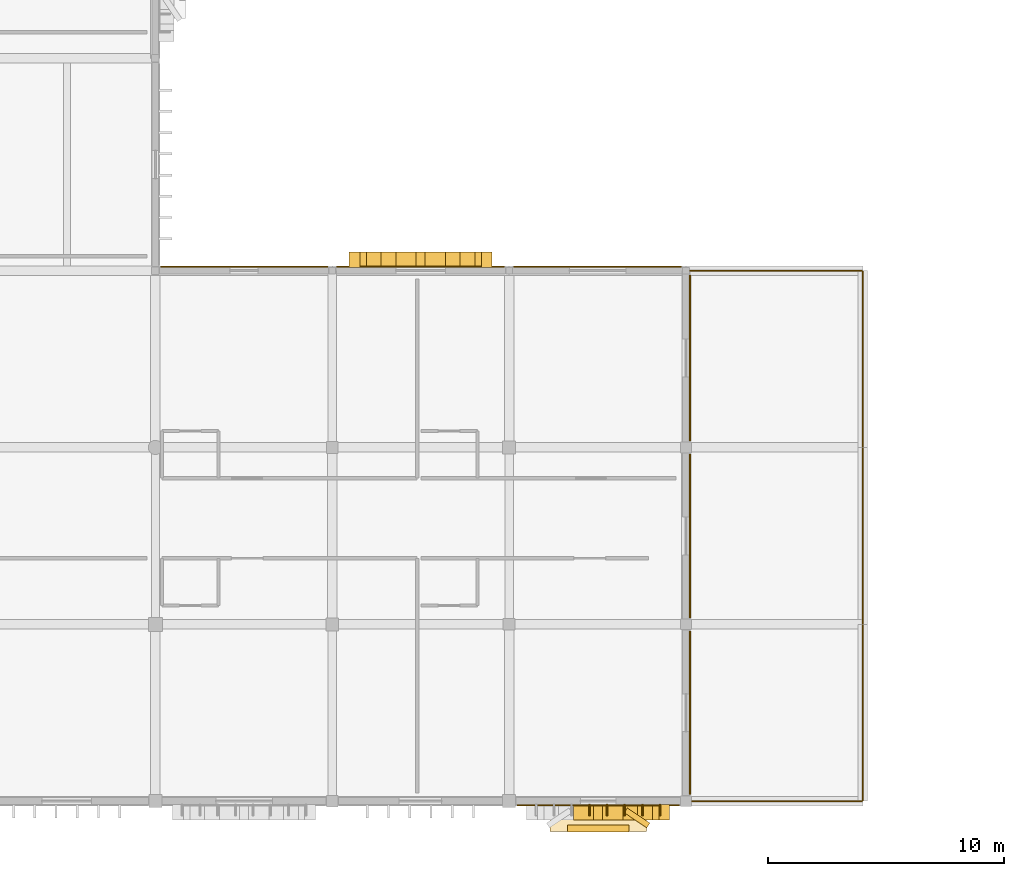
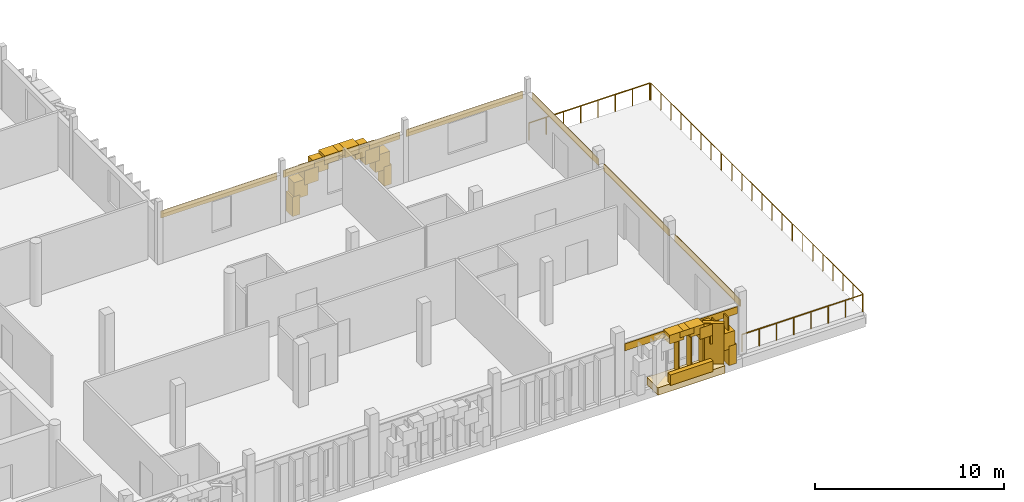
# One storey, part 24 of 33: 28 coverings, 5 railings, 5 shading devices.
"""IFC4 building model written with IfcOpenShell, lengths in metres."""

from ifc_helpers import new_model, si_unit, direction, frame, origin, origin_2d, place, context, subcontext, project, spatial, rectangle, circle, extrude, material, layer, layer_set, type_object, element, save


model = new_model("IFC4")

# Units and contexts
model_context = context("Model", 3, precision=1e-05, world=origin(), true_north=direction((0.0, 1.0)))
body_context = subcontext(model_context, "Body", "Model", "MODEL_VIEW")
ifc_project = project(units=[si_unit("LENGTHUNIT", "METRE"), si_unit("AREAUNIT", "SQUARE_METRE"), si_unit("VOLUMEUNIT", "CUBIC_METRE"), si_unit("PLANEANGLEUNIT", "RADIAN"), si_unit("MASSUNIT", "GRAM", prefix="KILO")], contexts=[model_context])

# Site, building, storey
site_placement = place(None, origin())
site = spatial("IfcSite", under=ifc_project, at=site_placement, CompositionType="ELEMENT")
building_placement = place(site_placement, origin())
building = spatial("IfcBuilding", under=site, at=building_placement, Name="Dalvernix Boulevard General Hospital", CompositionType="ELEMENT")
storey_placement = place(building_placement, frame((0.0, 0.0, 21.89990234375)))
storey = spatial("IfcBuildingStorey", under=building, at=storey_placement, Name="L05", CompositionType="ELEMENT", Elevation=21.89990234375)

# Coverings
ifc_material_1 = material(Name="Pressed Catalan clay brick and dressed limestone parabolic archivolt", Category="masonry")
ifc_layer_1 = layer(ifc_material_1, 0.419921875)
ifc_layer_set_1 = layer_set([ifc_layer_1], Name="Pressed Catalan clay brick and dressed limestone parabolic archivolt (COV-ARC-01)")
covering_type_1 = type_object("IfcCoveringType", Name="COV-ARC-01", PredefinedType="CLADDING", material=ifc_layer_set_1)
for number, where, z_axis, x_axis, name in (
    (1, (38.449951171875, 22.9599609375, 0.0), (0.0, 0.0, 1.0), (1.0, 0.0, 0.0), "L05 Catalan parabolic arch impost pier N 5-3-L"),
    (2, (44.050048828125, 22.9599609375, 0.0), (0.0, 0.0, 1.0), (1.0, 0.0, 0.0), "L05 Catalan parabolic arch impost pier N 5-3-R"),
):
    element("IfcCovering", number, at=place(storey_placement, frame(where, z_axis=z_axis, x_axis=x_axis)), inside=storey, type_object=covering_type_1, Name=name, PredefinedType="CLADDING", context=body_context, shape_type="SweptSolid", body=[
        extrude(rectangle(XDim=0.4599609375, YDim=0.659912109375, at=origin_2d()), origin(), (0.0, 0.0, 1.0), 1.25),
    ])
covering_1_placement = place(storey_placement, frame((38.760986328125, 22.9599609375, 1.06005859375), z_axis=(0.0, 0.0, 1.0), x_axis=(1.0, 0.0, 0.0)))
element("IfcCovering", 3, at=covering_1_placement, inside=storey, type_object=covering_type_1, Name="L05 Catalan parabolic archivolt voussoir N 5-3-1", PredefinedType="CLADDING", context=body_context, shape_type="SweptSolid", body=[
    extrude(rectangle(XDim=0.8623046875, YDim=0.659912109375, at=origin_2d()), origin(), (0.0, 0.0, 1.0), 1.091064453125),
])
covering_2_placement = place(storey_placement, frame((39.38330078125, 22.9599609375, 1.77099609375), z_axis=(0.0, 0.0, 1.0), x_axis=(1.0, 0.0, 0.0)))
element("IfcCovering", 4, at=covering_2_placement, inside=storey, type_object=covering_type_1, Name="L05 Catalan parabolic archivolt voussoir N 5-3-2", PredefinedType="CLADDING", context=body_context, shape_type="SweptSolid", body=[
    extrude(rectangle(XDim=0.8623046875, YDim=0.659912109375, at=origin_2d()), origin(), (0.0, 0.0, 1.0), 0.913330078125),
])
covering_3_placement = place(storey_placement, frame((40.005615234375, 22.9599609375, 2.3046875), z_axis=(0.0, 0.0, 1.0), x_axis=(1.0, 0.0, 0.0)))
element("IfcCovering", 5, at=covering_3_placement, inside=storey, type_object=covering_type_1, Name="L05 Catalan parabolic archivolt voussoir N 5-3-3", PredefinedType="CLADDING", context=body_context, shape_type="SweptSolid", body=[
    extrude(rectangle(XDim=0.8623046875, YDim=0.659912109375, at=origin_2d()), origin(), (0.0, 0.0, 1.0), 0.735595703125),
])
covering_4_placement = place(storey_placement, frame((40.627685546875, 22.9599609375, 2.66015625), z_axis=(0.0, 0.0, 1.0), x_axis=(1.0, 0.0, 0.0)))
element("IfcCovering", 6, at=covering_4_placement, inside=storey, type_object=covering_type_1, Name="L05 Catalan parabolic archivolt voussoir N 5-3-4", PredefinedType="CLADDING", context=body_context, shape_type="SweptSolid", body=[
    extrude(rectangle(XDim=0.8623046875, YDim=0.659912109375, at=origin_2d()), origin(), (0.0, 0.0, 1.0), 0.557861328125),
])
covering_5_placement = place(storey_placement, frame((41.25, 22.9599609375, 2.837890625), z_axis=(0.0, 0.0, 1.0), x_axis=(1.0, 0.0, 0.0)))
element("IfcCovering", 7, at=covering_5_placement, inside=storey, type_object=covering_type_1, Name="L05 Catalan parabolic archivolt voussoir N 5-3-5", PredefinedType="CLADDING", context=body_context, shape_type="SweptSolid", body=[
    extrude(rectangle(XDim=0.8623046875, YDim=0.659912109375, at=origin_2d()), origin(), (0.0, 0.0, 1.0), 0.3798828125),
])
covering_6_placement = place(storey_placement, frame((41.872314453125, 22.9599609375, 2.66015625), z_axis=(0.0, 0.0, 1.0), x_axis=(1.0, 0.0, 0.0)))
element("IfcCovering", 8, at=covering_6_placement, inside=storey, type_object=covering_type_1, Name="L05 Catalan parabolic archivolt voussoir N 5-3-6", PredefinedType="CLADDING", context=body_context, shape_type="SweptSolid", body=[
    extrude(rectangle(XDim=0.8623046875, YDim=0.659912109375, at=origin_2d()), origin(), (0.0, 0.0, 1.0), 0.557861328125),
])
covering_7_placement = place(storey_placement, frame((42.494384765625, 22.9599609375, 2.3046875), z_axis=(0.0, 0.0, 1.0), x_axis=(1.0, 0.0, 0.0)))
element("IfcCovering", 9, at=covering_7_placement, inside=storey, type_object=covering_type_1, Name="L05 Catalan parabolic archivolt voussoir N 5-3-7", PredefinedType="CLADDING", context=body_context, shape_type="SweptSolid", body=[
    extrude(rectangle(XDim=0.8623046875, YDim=0.659912109375, at=origin_2d()), origin(), (0.0, 0.0, 1.0), 0.735595703125),
])
covering_8_placement = place(storey_placement, frame((43.11669921875, 22.9599609375, 1.77099609375), z_axis=(0.0, 0.0, 1.0), x_axis=(1.0, 0.0, 0.0)))
element("IfcCovering", 10, at=covering_8_placement, inside=storey, type_object=covering_type_1, Name="L05 Catalan parabolic archivolt voussoir N 5-3-8", PredefinedType="CLADDING", context=body_context, shape_type="SweptSolid", body=[
    extrude(rectangle(XDim=0.8623046875, YDim=0.659912109375, at=origin_2d()), origin(), (0.0, 0.0, 1.0), 0.913330078125),
])
covering_9_placement = place(storey_placement, frame((43.739013671875, 22.9599609375, 1.06005859375), z_axis=(0.0, 0.0, 1.0), x_axis=(1.0, 0.0, 0.0)))
element("IfcCovering", 11, at=covering_9_placement, inside=storey, type_object=covering_type_1, Name="L05 Catalan parabolic archivolt voussoir N 5-3-9", PredefinedType="CLADDING", context=body_context, shape_type="SweptSolid", body=[
    extrude(rectangle(XDim=0.8623046875, YDim=0.659912109375, at=origin_2d()), origin(), (0.0, 0.0, 1.0), 1.091064453125),
])
covering_10_placement = place(storey_placement, frame((51.574951171875, -0.4599609375, 0.0), z_axis=(0.0, 0.0, 1.0), x_axis=(-1.0, 0.0, 0.0)))
element("IfcCovering", 12, at=covering_10_placement, inside=storey, type_object=covering_type_1, Name="L05 Catalan parabolic arch impost pier S 6-0-L", PredefinedType="CLADDING", context=body_context, shape_type="SweptSolid", body=[
    extrude(rectangle(XDim=0.4599609375, YDim=0.659912109375, at=origin_2d()), origin(), (0.0, 0.0, 1.0), 1.25),
])
covering_11_placement = place(storey_placement, frame((51.263916015625, -0.4599609375, 1.06005859375), z_axis=(0.0, 0.0, 1.0), x_axis=(-1.0, 0.0, 0.0)))
element("IfcCovering", 13, at=covering_11_placement, inside=storey, type_object=covering_type_1, Name="L05 Catalan parabolic archivolt voussoir S 6-0-1", PredefinedType="CLADDING", context=body_context, shape_type="SweptSolid", body=[
    extrude(rectangle(XDim=0.8623046875, YDim=0.659912109375, at=origin_2d()), origin(), (0.0, 0.0, 1.0), 1.091064453125),
])
covering_12_placement = place(storey_placement, frame((50.6416015625, -0.4599609375, 1.77099609375), z_axis=(0.0, 0.0, 1.0), x_axis=(-1.0, 0.0, 0.0)))
element("IfcCovering", 14, at=covering_12_placement, inside=storey, type_object=covering_type_1, Name="L05 Catalan parabolic archivolt voussoir S 6-0-2", PredefinedType="CLADDING", context=body_context, shape_type="SweptSolid", body=[
    extrude(rectangle(XDim=0.8623046875, YDim=0.659912109375, at=origin_2d()), origin(), (0.0, 0.0, 1.0), 0.913330078125),
])
covering_13_placement = place(storey_placement, frame((50.019287109375, -0.4599609375, 2.3046875), z_axis=(0.0, 0.0, 1.0), x_axis=(-1.0, 0.0, 0.0)))
element("IfcCovering", 15, at=covering_13_placement, inside=storey, type_object=covering_type_1, Name="L05 Catalan parabolic archivolt voussoir S 6-0-3", PredefinedType="CLADDING", context=body_context, shape_type="SweptSolid", body=[
    extrude(rectangle(XDim=0.8623046875, YDim=0.659912109375, at=origin_2d()), origin(), (0.0, 0.0, 1.0), 0.735595703125),
])
covering_14_placement = place(storey_placement, frame((49.397216796875, -0.4599609375, 2.66015625), z_axis=(0.0, 0.0, 1.0), x_axis=(-1.0, 0.0, 0.0)))
element("IfcCovering", 16, at=covering_14_placement, inside=storey, type_object=covering_type_1, Name="L05 Catalan parabolic archivolt voussoir S 6-0-4", PredefinedType="CLADDING", context=body_context, shape_type="SweptSolid", body=[
    extrude(rectangle(XDim=0.8623046875, YDim=0.659912109375, at=origin_2d()), origin(), (0.0, 0.0, 1.0), 0.557861328125),
])
covering_15_placement = place(storey_placement, frame((48.77490234375, -0.4599609375, 2.837890625), z_axis=(0.0, 0.0, 1.0), x_axis=(-1.0, 0.0, 0.0)))
element("IfcCovering", 17, at=covering_15_placement, inside=storey, type_object=covering_type_1, Name="L05 Catalan parabolic archivolt voussoir S 6-0-5", PredefinedType="CLADDING", context=body_context, shape_type="SweptSolid", body=[
    extrude(rectangle(XDim=0.8623046875, YDim=0.659912109375, at=origin_2d()), origin(), (0.0, 0.0, 1.0), 0.3798828125),
])
covering_16_placement = place(storey_placement, frame((48.15283203125, -0.4599609375, 2.66015625), z_axis=(0.0, 0.0, 1.0), x_axis=(-1.0, 0.0, 0.0)))
element("IfcCovering", 18, at=covering_16_placement, inside=storey, type_object=covering_type_1, Name="L05 Catalan parabolic archivolt voussoir S 6-0-6", PredefinedType="CLADDING", context=body_context, shape_type="SweptSolid", body=[
    extrude(rectangle(XDim=0.8623046875, YDim=0.659912109375, at=origin_2d()), origin(), (0.0, 0.0, 1.0), 0.557861328125),
])
ifc_material_2 = material(Name="Polychrome glazed Catalan trencadis ceramic faceted bay spandrel")
ifc_layer_2 = layer(ifc_material_2, 0.280029296875)
ifc_layer_set_2 = layer_set([ifc_layer_2], Name="Polychrome glazed Catalan trencadis ceramic faceted bay spandrel (COV-BAY-01)")
covering_type_2 = type_object("IfcCoveringType", Name="COV-BAY-01", PredefinedType="CLADDING", material=ifc_layer_set_2)
covering_17_placement = place(storey_placement, frame((48.77490234375, -1.159912109375, 0.38037109375), z_axis=(0.0, 0.0, 1.0), x_axis=(-1.0, 0.0, 0.0)))
element("IfcCovering", 19, at=covering_17_placement, inside=storey, type_object=covering_type_2, Name="L05 projecting faceted trencadis bay spandrel S 6-0", PredefinedType="CLADDING", context=body_context, shape_type="SweptSolid", body=[
    extrude(rectangle(XDim=2.60009765625, YDim=0.280029296875, at=origin_2d()), origin(), (0.0, 0.0, 1.0), 0.679931640625),
])
covering_18_placement = place(storey_placement, frame((50.425048828125, -0.7099609375, 0.080078125), z_axis=(0.0, 0.0, 1.0), x_axis=(-0.829037572555, 0.559192903471, 0.0)))
element("IfcCovering", 20, at=covering_18_placement, inside=storey, type_object=covering_type_2, Name="L05 projecting faceted Catalan bay cheek S 6-0-L", PredefinedType="CLADDING", context=body_context, shape_type="SweptSolid", body=[
    extrude(rectangle(XDim=1.14990234375, YDim=0.239990234375, at=origin_2d()), origin(), (0.0, 0.0, 1.0), 3.010009765625),
])
ifc_material_3 = material(Name="Polychrome Catalan glazed ceramic spandrel tile panel")
ifc_layer_3 = layer(ifc_material_3, 0.044921875)
ifc_layer_set_3 = layer_set([ifc_layer_3], Name="Polychrome Catalan glazed ceramic spandrel tile panel (COV-CLD-01)")
covering_type_3 = type_object("IfcCoveringType", Name="COV-CLD-01", PredefinedType="CLADDING", material=ifc_layer_set_3)
covering_19_placement = place(storey_placement, frame((33.760009765625, 22.669921875, 2.6953125), z_axis=(0.0, 0.0, 1.0), x_axis=(1.0, 0.0, 0.0)))
element("IfcCovering", 21, at=covering_19_placement, inside=storey, type_object=covering_type_3, Name="L05 polychrome ceramic spandrel N 4-3", PredefinedType="CLADDING", context=body_context, shape_type="SweptSolid", body=[
    extrude(rectangle(XDim=7.080078125, YDim=0.044921875, at=origin_2d()), origin(), (0.0, 0.0, 1.0), 0.449951171875),
])
covering_20_placement = place(storey_placement, frame((41.25, 22.669921875, 2.6953125), z_axis=(0.0, 0.0, 1.0), x_axis=(1.0, 0.0, 0.0)))
element("IfcCovering", 22, at=covering_20_placement, inside=storey, type_object=covering_type_3, Name="L05 polychrome ceramic spandrel N 5-3", PredefinedType="CLADDING", context=body_context, shape_type="SweptSolid", body=[
    extrude(rectangle(XDim=7.10009765625, YDim=0.044921875, at=origin_2d()), origin(), (0.0, 0.0, 1.0), 0.449951171875),
])
covering_21_placement = place(storey_placement, frame((48.77490234375, -0.169921875, 2.6953125), z_axis=(0.0, 0.0, 1.0), x_axis=(-1.0, 0.0, 0.0)))
element("IfcCovering", 23, at=covering_21_placement, inside=storey, type_object=covering_type_3, Name="L05 polychrome ceramic spandrel S 6-0", PredefinedType="CLADDING", context=body_context, shape_type="SweptSolid", body=[
    extrude(rectangle(XDim=6.8798828125, YDim=0.044921875, at=origin_2d()), origin(), (0.0, 0.0, 1.0), 0.449951171875),
])
for number, where, z_axis, x_axis, name in (
    (24, (52.669921875, 3.75, 2.6953125), (0.0, 0.0, 1.0), (0.0, -1.0, 0.0), "L05 polychrome ceramic spandrel E 7-0"),
    (25, (52.669921875, 11.25, 2.6953125), (0.0, 0.0, 1.0), (0.0, -1.0, 0.0), "L05 polychrome ceramic spandrel E 7-1"),
):
    element("IfcCovering", number, at=place(storey_placement, frame(where, z_axis=z_axis, x_axis=x_axis)), inside=storey, type_object=covering_type_3, Name=name, PredefinedType="CLADDING", context=body_context, shape_type="SweptSolid", body=[
        extrude(rectangle(XDim=6.929931640625, YDim=0.044921875, at=origin_2d()), origin(), (0.0, 0.0, 1.0), 0.449951171875),
    ])
covering_22_placement = place(storey_placement, frame((48.75, 22.669921875, 2.6953125), z_axis=(0.0, 0.0, 1.0), x_axis=(1.0, 0.0, 0.0)))
element("IfcCovering", 26, at=covering_22_placement, inside=storey, type_object=covering_type_3, Name="L05 polychrome ceramic spandrel N 6-3", PredefinedType="CLADDING", context=body_context, shape_type="SweptSolid", body=[
    extrude(rectangle(XDim=7.10009765625, YDim=0.044921875, at=origin_2d()), origin(), (0.0, 0.0, 1.0), 0.449951171875),
])
covering_23_placement = place(storey_placement, frame((52.669921875, 18.79248046875, 2.6953125), z_axis=(0.0, 0.0, 1.0), x_axis=(0.0, -1.0, 0.0)))
element("IfcCovering", 27, at=covering_23_placement, inside=storey, type_object=covering_type_3, Name="L05 polychrome ceramic spandrel E 7-2", PredefinedType="CLADDING", context=body_context, shape_type="SweptSolid", body=[
    extrude(rectangle(XDim=7.014892578125, YDim=0.044921875, at=origin_2d()), origin(), (0.0, 0.0, 1.0), 0.449951171875),
])
ifc_material_4 = material(Name="Dressed ochre limestone classical plinth, stringcourse and corbelled cornice", Category="masonry")
ifc_layer_4 = layer(ifc_material_4, 0.449951171875)
ifc_layer_set_4 = layer_set([ifc_layer_4], Name="Dressed ochre limestone classical plinth, stringcourse and corbelled cornice (COV-CRN-01)")
covering_type_4 = type_object("IfcCoveringType", Name="COV-CRN-01", PredefinedType="CLADDING", material=ifc_layer_set_4)
covering_24_placement = place(storey_placement, frame((48.77490234375, -0.705078125, 0.0), z_axis=(0.0, 0.0, 1.0), x_axis=(-1.0, 0.0, 0.0)))
element("IfcCovering", 28, at=covering_24_placement, inside=storey, type_object=covering_type_4, Name="L05 projecting Catalan bay corbel base S 6-0", PredefinedType="CLADDING", context=body_context, shape_type="SweptSolid", body=[
    extrude(rectangle(XDim=4.10009765625, YDim=1.14990234375, at=origin_2d()), origin(), (0.0, 0.0, 1.0), 0.47998046875),
])

# Railings
ifc_material_5 = material(Name="Powder-coated galvanized steel balustrade", Category="steel")
railing_type = type_object("IfcRailingType", Name="RL-GR-EXT1", PredefinedType="BALUSTRADE", material=ifc_material_5)
railing_1_placement = place(storey_placement, frame((52.590087890625, 22.5, 0.0)))
element("IfcRailing", 29, at=railing_1_placement, inside=storey, type_object=railing_type, Name="L05 terrace safety balustrade 1", PredefinedType="BALUSTRADE", context=body_context, shape_type="SweptSolid", body=[
    extrude(circle(Radius=0.02392578125, at=origin_2d()), frame((0.0, 0.0, 1.09619140625), z_axis=(1.0, 0.0, 0.0), x_axis=(0.0, 1.0, 0.0)), (0.0, 0.0, 1.0), 7.369873046875),
    extrude(circle(Radius=0.02099609375, at=origin_2d()), origin(), (0.0, 0.0, 1.0), 1.072021484375),
    extrude(circle(Radius=0.02099609375, at=origin_2d()), frame((1.052734375, 0.0, 0.0)), (0.0, 0.0, 1.0), 1.072021484375),
    extrude(circle(Radius=0.02099609375, at=origin_2d()), frame((2.105712890625, 0.0, 0.0)), (0.0, 0.0, 1.0), 1.072021484375),
    extrude(circle(Radius=0.02099609375, at=origin_2d()), frame((3.158447265625, 0.0, 0.0)), (0.0, 0.0, 1.0), 1.072021484375),
    extrude(circle(Radius=0.02099609375, at=origin_2d()), frame((4.21142578125, 0.0, 0.0)), (0.0, 0.0, 1.0), 1.072021484375),
    extrude(circle(Radius=0.02099609375, at=origin_2d()), frame((5.26416015625, 0.0, 0.0)), (0.0, 0.0, 1.0), 1.072021484375),
    extrude(circle(Radius=0.02099609375, at=origin_2d()), frame((6.317138671875, 0.0, 0.0)), (0.0, 0.0, 1.0), 1.072021484375),
    extrude(circle(Radius=0.02099609375, at=origin_2d()), frame((7.369873046875, 0.0, 0.0)), (0.0, 0.0, 1.0), 1.072021484375),
])
for number, where, name in (
    (30, (60.0, 22.4599609375, 0.0), "L05 terrace safety balustrade 2"),
    (31, (60.0, 14.9599609375, 0.0), "L05 terrace safety balustrade 3"),
    (32, (60.0, 7.4599609375, 0.0), "L05 terrace safety balustrade 4"),
):
    element("IfcRailing", number, at=place(storey_placement, frame(where)), inside=storey, type_object=railing_type, Name=name, PredefinedType="BALUSTRADE", context=body_context, shape_type="SweptSolid", body=[
        extrude(circle(Radius=0.02392578125, at=origin_2d()), frame((0.0, 0.0, 1.09619140625), z_axis=(0.0, -1.0, 0.0), x_axis=(1.0, 0.0, 0.0)), (0.0, 0.0, 1.0), 7.419921875),
        extrude(circle(Radius=0.02099609375, at=origin_2d()), origin(), (0.0, 0.0, 1.0), 1.072021484375),
        extrude(circle(Radius=0.02099609375, at=origin_2d()), frame((0.0, -1.06005859375, 0.0)), (0.0, 0.0, 1.0), 1.072021484375),
        extrude(circle(Radius=0.02099609375, at=origin_2d()), frame((0.0, -2.119873046875, 0.0)), (0.0, 0.0, 1.0), 1.072021484375),
        extrude(circle(Radius=0.02099609375, at=origin_2d()), frame((0.0, -3.179931640625, 0.0)), (0.0, 0.0, 1.0), 1.072021484375),
        extrude(circle(Radius=0.02099609375, at=origin_2d()), frame((0.0, -4.239990234375, 0.0)), (0.0, 0.0, 1.0), 1.072021484375),
        extrude(circle(Radius=0.02099609375, at=origin_2d()), frame((0.0, -5.300048828125, 0.0)), (0.0, 0.0, 1.0), 1.072021484375),
        extrude(circle(Radius=0.02099609375, at=origin_2d()), frame((0.0, -6.35986328125, 0.0)), (0.0, 0.0, 1.0), 1.072021484375),
        extrude(circle(Radius=0.02099609375, at=origin_2d()), frame((0.0, -7.419921875, 0.0)), (0.0, 0.0, 1.0), 1.072021484375),
    ])
railing_2_placement = place(storey_placement, frame((59.9599609375, 0.0, 0.0)))
element("IfcRailing", 33, at=railing_2_placement, inside=storey, type_object=railing_type, Name="L05 terrace safety balustrade 5", PredefinedType="BALUSTRADE", context=body_context, shape_type="SweptSolid", body=[
    extrude(circle(Radius=0.02392578125, at=origin_2d()), frame((0.0, 0.0, 1.09619140625), z_axis=(-1.0, 0.0, 0.0), x_axis=(0.0, -1.0, 0.0)), (0.0, 0.0, 1.0), 7.369873046875),
    extrude(circle(Radius=0.02099609375, at=origin_2d()), origin(), (0.0, 0.0, 1.0), 1.072021484375),
    extrude(circle(Radius=0.02099609375, at=origin_2d()), frame((-1.052734375, 0.0, 0.0)), (0.0, 0.0, 1.0), 1.072021484375),
    extrude(circle(Radius=0.02099609375, at=origin_2d()), frame((-2.105712890625, 0.0, 0.0)), (0.0, 0.0, 1.0), 1.072021484375),
    extrude(circle(Radius=0.02099609375, at=origin_2d()), frame((-3.158447265625, 0.0, 0.0)), (0.0, 0.0, 1.0), 1.072021484375),
    extrude(circle(Radius=0.02099609375, at=origin_2d()), frame((-4.21142578125, 0.0, 0.0)), (0.0, 0.0, 1.0), 1.072021484375),
    extrude(circle(Radius=0.02099609375, at=origin_2d()), frame((-5.26416015625, 0.0, 0.0)), (0.0, 0.0, 1.0), 1.072021484375),
    extrude(circle(Radius=0.02099609375, at=origin_2d()), frame((-6.317138671875, 0.0, 0.0)), (0.0, 0.0, 1.0), 1.072021484375),
    extrude(circle(Radius=0.02099609375, at=origin_2d()), frame((-7.369873046875, 0.0, 0.0)), (0.0, 0.0, 1.0), 1.072021484375),
])

# Shading devices
ifc_material_6 = material(Name="Preservative-treated West African iroko timber", Category="wood")
shading_device_type = type_object("IfcShadingDeviceType", Name="SHD-FIN-01", PredefinedType="USERDEFINED", material=ifc_material_6)
for number, where, z_axis, x_axis, name in (
    (34, (51.39990234375, -0.3798828125, 0.17529296875), (0.0, 0.0, 1.0), (-1.0, 0.0, 0.0), "L05 iroko brise-soleil fin 1"),
    (35, (50.64990234375, -0.3798828125, 0.17529296875), (0.0, 0.0, 1.0), (-1.0, 0.0, 0.0), "L05 iroko brise-soleil fin 2"),
    (36, (49.89990234375, -0.3798828125, 0.17529296875), (0.0, 0.0, 1.0), (-1.0, 0.0, 0.0), "L05 iroko brise-soleil fin 3"),
    (37, (49.14990234375, -0.3798828125, 0.17529296875), (0.0, 0.0, 1.0), (-1.0, 0.0, 0.0), "L05 iroko brise-soleil fin 4"),
    (38, (48.39990234375, -0.3798828125, 0.17529296875), (0.0, 0.0, 1.0), (-1.0, 0.0, 0.0), "L05 iroko brise-soleil fin 5"),
):
    element("IfcShadingDevice", number, at=place(storey_placement, frame(where, z_axis=z_axis, x_axis=x_axis)), inside=storey, type_object=shading_device_type, Name=name, ObjectType="FIN", PredefinedType="USERDEFINED", context=body_context, shape_type="SweptSolid", body=[
        extrude(rectangle(XDim=0.06494140625, YDim=0.47998046875, at=origin_2d()), origin(), (0.0, 0.0, 1.0), 2.820068359375),
    ])

save(model, "model.ifc")
